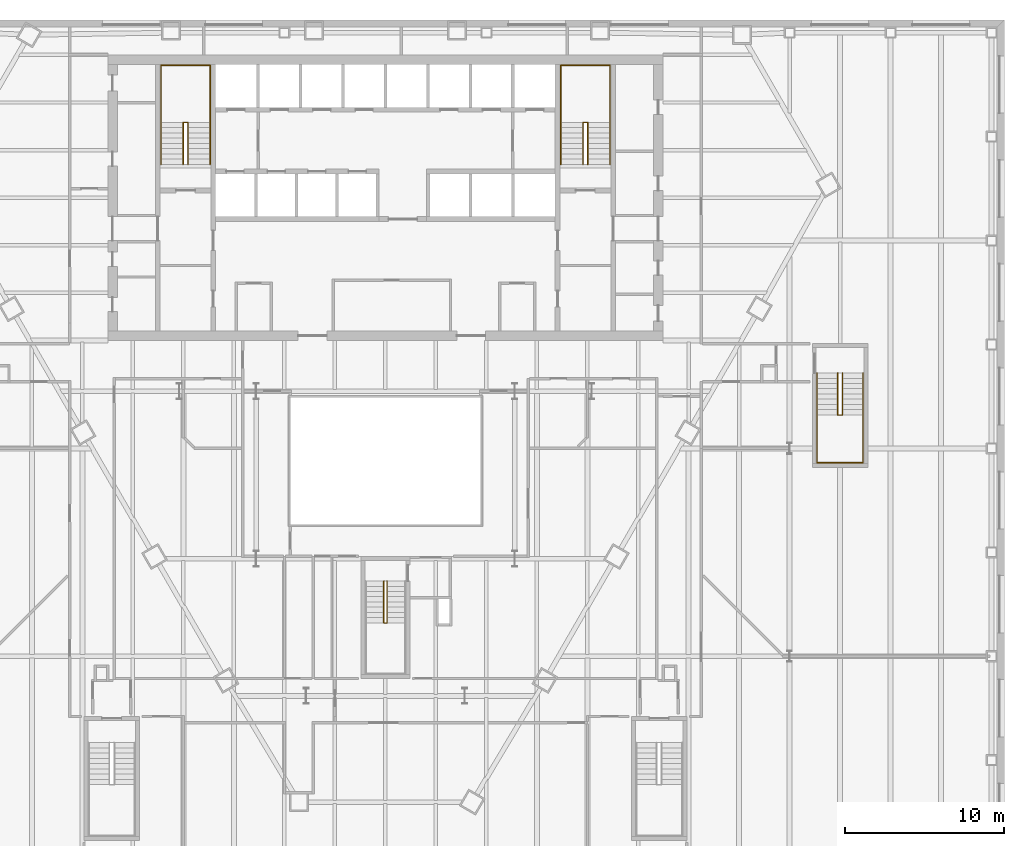
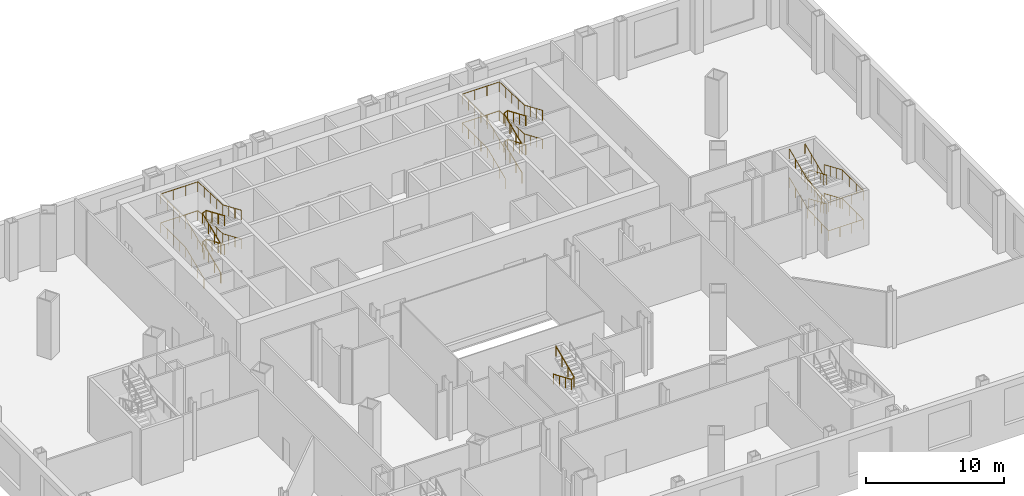
# One storey, part 21 of 21: 13 railings.
"""IFC4 building model written with IfcOpenShell, lengths in metres."""

from ifc_helpers import new_model, si_unit, direction, frame, origin, origin_2d, place, context, subcontext, project, spatial, circle, extrude, material, type_object, element, save


model = new_model("IFC4")

# Units and contexts
model_context = context("Model", 3, precision=1e-05, world=origin(), true_north=direction((0.0, 1.0)))
body_context = subcontext(model_context, "Body", "Model", "MODEL_VIEW")
ifc_project = project(units=[si_unit("LENGTHUNIT", "METRE"), si_unit("AREAUNIT", "SQUARE_METRE"), si_unit("VOLUMEUNIT", "CUBIC_METRE"), si_unit("PLANEANGLEUNIT", "RADIAN"), si_unit("MASSUNIT", "GRAM", prefix="KILO")], contexts=[model_context])

# Site, building, storey
site_placement = place(None, origin())
site = spatial("IfcSite", under=ifc_project, at=site_placement, CompositionType="ELEMENT")
building_placement = place(site_placement, origin())
building = spatial("IfcBuilding", under=site, at=building_placement, Name="Njiva Tower", CompositionType="ELEMENT")
storey_placement = place(building_placement, frame((0.0, 0.0, 8.4)))
storey = spatial("IfcBuildingStorey", under=building, at=storey_placement, Name="L01", CompositionType="ELEMENT", Elevation=8.4)

# Railings
ifc_material = material(Name="Stainless steel", Category="steel")
railing_type = type_object("IfcRailingType", Name="RL1 Stair handrail 900", PredefinedType="HANDRAIL", material=ifc_material)
railing_1_placement = place(storey_placement, frame((-14.15, 11.1, 0.1417)))
element("IfcRailing", 1, at=railing_1_placement, inside=storey, type_object=railing_type, Name="Stair A handrail", PredefinedType="HANDRAIL", context=body_context, shape_type="SweptSolid", body=[
    extrude(circle(Radius=0.024, at=origin_2d()), frame((0.0, 0.0, 0.876), z_axis=(0.0, 0.918909016762, 0.394469541173), x_axis=(-1.0, 0.0, 0.0)), (0.0, 0.0, 1.0), 2.873),
    extrude(circle(Radius=0.024, at=origin_2d()), frame((0.0, 2.64, 2.0093), z_axis=(0.0, 1.0, 0.0), x_axis=(-1.0, 0.0, 0.0)), (0.0, 0.0, 1.0), 3.61),
    extrude(circle(Radius=0.024, at=origin_2d()), frame((0.0, 6.25, 2.0093), z_axis=(1.0, 0.0, 0.0), x_axis=(0.0, 1.0, 0.0)), (0.0, 0.0, 1.0), 3.1),
    extrude(circle(Radius=0.024, at=origin_2d()), frame((3.1, 6.25, 2.0093), z_axis=(0.0, -0.99923052625, 0.039221874119), x_axis=(1.0, 0.0, 0.0)), (0.0, 0.0, 1.0), 3.6128),
    extrude(circle(Radius=0.024, at=origin_2d()), frame((3.1, 2.64, 2.151), z_axis=(0.0, -0.918909016762, 0.394469541173), x_axis=(1.0, 0.0, 0.0)), (0.0, 0.0, 1.0), 2.873),
    extrude(circle(Radius=0.021, at=origin_2d()), origin(), (0.0, 0.0, 1.0), 0.852),
    extrude(circle(Radius=0.021, at=origin_2d()), frame((0.0, 0.88, 0.3778)), (0.0, 0.0, 1.0), 0.852),
    extrude(circle(Radius=0.021, at=origin_2d()), frame((0.0, 1.76, 0.7555)), (0.0, 0.0, 1.0), 0.852),
    extrude(circle(Radius=0.021, at=origin_2d()), frame((0.0, 2.64, 1.1333)), (0.0, 0.0, 1.0), 0.852),
    extrude(circle(Radius=0.021, at=origin_2d()), frame((0.0, 3.5425, 1.1333)), (0.0, 0.0, 1.0), 0.852),
    extrude(circle(Radius=0.021, at=origin_2d()), frame((0.0, 4.445, 1.1333)), (0.0, 0.0, 1.0), 0.852),
    extrude(circle(Radius=0.021, at=origin_2d()), frame((0.0, 5.3475, 1.1333)), (0.0, 0.0, 1.0), 0.852),
    extrude(circle(Radius=0.021, at=origin_2d()), frame((0.0, 6.25, 1.1333)), (0.0, 0.0, 1.0), 0.852),
    extrude(circle(Radius=0.021, at=origin_2d()), frame((1.0333, 6.25, 1.1333)), (0.0, 0.0, 1.0), 0.852),
    extrude(circle(Radius=0.021, at=origin_2d()), frame((2.0667, 6.25, 1.1333)), (0.0, 0.0, 1.0), 0.852),
    extrude(circle(Radius=0.021, at=origin_2d()), frame((3.1, 6.25, 1.1333)), (0.0, 0.0, 1.0), 0.852),
    extrude(circle(Radius=0.021, at=origin_2d()), frame((3.1, 5.3475, 1.1687)), (0.0, 0.0, 1.0), 0.852),
    extrude(circle(Radius=0.021, at=origin_2d()), frame((3.1, 4.445, 1.2042)), (0.0, 0.0, 1.0), 0.852),
    extrude(circle(Radius=0.021, at=origin_2d()), frame((3.1, 3.5425, 1.2396)), (0.0, 0.0, 1.0), 0.852),
    extrude(circle(Radius=0.021, at=origin_2d()), frame((3.1, 2.64, 1.275)), (0.0, 0.0, 1.0), 0.852),
    extrude(circle(Radius=0.021, at=origin_2d()), frame((3.1, 1.76, 1.6528)), (0.0, 0.0, 1.0), 0.852),
    extrude(circle(Radius=0.021, at=origin_2d()), frame((3.1, 0.88, 2.0305)), (0.0, 0.0, 1.0), 0.852),
    extrude(circle(Radius=0.021, at=origin_2d()), frame((3.1, 0.0, 2.4083)), (0.0, 0.0, 1.0), 0.852),
])
railing_2_placement = place(storey_placement, frame((-12.75, 11.1, 0.1417)))
element("IfcRailing", 2, at=railing_2_placement, inside=storey, type_object=railing_type, Name="Stair A handrail", PredefinedType="HANDRAIL", context=body_context, shape_type="SweptSolid", body=[
    extrude(circle(Radius=0.024, at=origin_2d()), frame((0.0, 0.0, 0.876), z_axis=(0.0, 0.918909016762, 0.394469541173), x_axis=(-1.0, 0.0, 0.0)), (0.0, 0.0, 1.0), 2.873),
    extrude(circle(Radius=0.024, at=origin_2d()), frame((0.0, 2.64, 2.0093), z_axis=(0.904209850415, 0.0, 0.427088452679), x_axis=(0.0, 1.0, 0.0)), (0.0, 0.0, 1.0), 0.3318),
    extrude(circle(Radius=0.024, at=origin_2d()), frame((0.3, 2.64, 2.151), z_axis=(0.0, -0.918909016762, 0.394469541173), x_axis=(1.0, 0.0, 0.0)), (0.0, 0.0, 1.0), 2.873),
    extrude(circle(Radius=0.021, at=origin_2d()), origin(), (0.0, 0.0, 1.0), 0.852),
    extrude(circle(Radius=0.021, at=origin_2d()), frame((0.0, 0.88, 0.3778)), (0.0, 0.0, 1.0), 0.852),
    extrude(circle(Radius=0.021, at=origin_2d()), frame((0.0, 1.76, 0.7555)), (0.0, 0.0, 1.0), 0.852),
    extrude(circle(Radius=0.021, at=origin_2d()), frame((0.0, 2.64, 1.1333)), (0.0, 0.0, 1.0), 0.852),
    extrude(circle(Radius=0.021, at=origin_2d()), frame((0.3, 2.64, 1.275)), (0.0, 0.0, 1.0), 0.852),
    extrude(circle(Radius=0.021, at=origin_2d()), frame((0.3, 1.76, 1.6528)), (0.0, 0.0, 1.0), 0.852),
    extrude(circle(Radius=0.021, at=origin_2d()), frame((0.3, 0.88, 2.0305)), (0.0, 0.0, 1.0), 0.852),
    extrude(circle(Radius=0.021, at=origin_2d()), frame((0.3, 0.0, 2.4083)), (0.0, 0.0, 1.0), 0.852),
])
railing_3_placement = place(storey_placement, frame((-14.15, 11.1, 2.6917)))
element("IfcRailing", 3, at=railing_3_placement, inside=storey, type_object=railing_type, Name="Stair A handrail", PredefinedType="HANDRAIL", context=body_context, shape_type="SweptSolid", body=[
    extrude(circle(Radius=0.024, at=origin_2d()), frame((0.0, 0.0, 0.876), z_axis=(0.0, 0.918909016762, 0.394469541173), x_axis=(-1.0, 0.0, 0.0)), (0.0, 0.0, 1.0), 2.873),
    extrude(circle(Radius=0.024, at=origin_2d()), frame((0.0, 2.64, 2.0093), z_axis=(0.0, 1.0, 0.0), x_axis=(-1.0, 0.0, 0.0)), (0.0, 0.0, 1.0), 3.61),
    extrude(circle(Radius=0.024, at=origin_2d()), frame((0.0, 6.25, 2.0093), z_axis=(1.0, 0.0, 0.0), x_axis=(0.0, 1.0, 0.0)), (0.0, 0.0, 1.0), 3.1),
    extrude(circle(Radius=0.024, at=origin_2d()), frame((3.1, 6.25, 2.0093), z_axis=(0.0, -0.99923052625, 0.039221874119), x_axis=(1.0, 0.0, 0.0)), (0.0, 0.0, 1.0), 3.6128),
    extrude(circle(Radius=0.024, at=origin_2d()), frame((3.1, 2.64, 2.151), z_axis=(0.0, -0.918909016762, 0.394469541173), x_axis=(1.0, 0.0, 0.0)), (0.0, 0.0, 1.0), 2.873),
    extrude(circle(Radius=0.021, at=origin_2d()), origin(), (0.0, 0.0, 1.0), 0.852),
    extrude(circle(Radius=0.021, at=origin_2d()), frame((0.0, 0.88, 0.3778)), (0.0, 0.0, 1.0), 0.852),
    extrude(circle(Radius=0.021, at=origin_2d()), frame((0.0, 1.76, 0.7555)), (0.0, 0.0, 1.0), 0.852),
    extrude(circle(Radius=0.021, at=origin_2d()), frame((0.0, 2.64, 1.1333)), (0.0, 0.0, 1.0), 0.852),
    extrude(circle(Radius=0.021, at=origin_2d()), frame((0.0, 3.5425, 1.1333)), (0.0, 0.0, 1.0), 0.852),
    extrude(circle(Radius=0.021, at=origin_2d()), frame((0.0, 4.445, 1.1333)), (0.0, 0.0, 1.0), 0.852),
    extrude(circle(Radius=0.021, at=origin_2d()), frame((0.0, 5.3475, 1.1333)), (0.0, 0.0, 1.0), 0.852),
    extrude(circle(Radius=0.021, at=origin_2d()), frame((0.0, 6.25, 1.1333)), (0.0, 0.0, 1.0), 0.852),
    extrude(circle(Radius=0.021, at=origin_2d()), frame((1.0333, 6.25, 1.1333)), (0.0, 0.0, 1.0), 0.852),
    extrude(circle(Radius=0.021, at=origin_2d()), frame((2.0667, 6.25, 1.1333)), (0.0, 0.0, 1.0), 0.852),
    extrude(circle(Radius=0.021, at=origin_2d()), frame((3.1, 6.25, 1.1333)), (0.0, 0.0, 1.0), 0.852),
    extrude(circle(Radius=0.021, at=origin_2d()), frame((3.1, 5.3475, 1.1687)), (0.0, 0.0, 1.0), 0.852),
    extrude(circle(Radius=0.021, at=origin_2d()), frame((3.1, 4.445, 1.2042)), (0.0, 0.0, 1.0), 0.852),
    extrude(circle(Radius=0.021, at=origin_2d()), frame((3.1, 3.5425, 1.2396)), (0.0, 0.0, 1.0), 0.852),
    extrude(circle(Radius=0.021, at=origin_2d()), frame((3.1, 2.64, 1.275)), (0.0, 0.0, 1.0), 0.852),
    extrude(circle(Radius=0.021, at=origin_2d()), frame((3.1, 1.76, 1.6528)), (0.0, 0.0, 1.0), 0.852),
    extrude(circle(Radius=0.021, at=origin_2d()), frame((3.1, 0.88, 2.0305)), (0.0, 0.0, 1.0), 0.852),
    extrude(circle(Radius=0.021, at=origin_2d()), frame((3.1, 0.0, 2.4083)), (0.0, 0.0, 1.0), 0.852),
])
railing_4_placement = place(storey_placement, frame((-12.75, 11.1, 2.6917)))
element("IfcRailing", 4, at=railing_4_placement, inside=storey, type_object=railing_type, Name="Stair A handrail", PredefinedType="HANDRAIL", context=body_context, shape_type="SweptSolid", body=[
    extrude(circle(Radius=0.024, at=origin_2d()), frame((0.0, 0.0, 0.876), z_axis=(0.0, 0.918909016762, 0.394469541173), x_axis=(-1.0, 0.0, 0.0)), (0.0, 0.0, 1.0), 2.873),
    extrude(circle(Radius=0.024, at=origin_2d()), frame((0.0, 2.64, 2.0093), z_axis=(0.904209850415, 0.0, 0.427088452679), x_axis=(0.0, 1.0, 0.0)), (0.0, 0.0, 1.0), 0.3318),
    extrude(circle(Radius=0.024, at=origin_2d()), frame((0.3, 2.64, 2.151), z_axis=(0.0, -0.918909016762, 0.394469541173), x_axis=(1.0, 0.0, 0.0)), (0.0, 0.0, 1.0), 2.873),
    extrude(circle(Radius=0.021, at=origin_2d()), origin(), (0.0, 0.0, 1.0), 0.852),
    extrude(circle(Radius=0.021, at=origin_2d()), frame((0.0, 0.88, 0.3778)), (0.0, 0.0, 1.0), 0.852),
    extrude(circle(Radius=0.021, at=origin_2d()), frame((0.0, 1.76, 0.7555)), (0.0, 0.0, 1.0), 0.852),
    extrude(circle(Radius=0.021, at=origin_2d()), frame((0.0, 2.64, 1.1333)), (0.0, 0.0, 1.0), 0.852),
    extrude(circle(Radius=0.021, at=origin_2d()), frame((0.3, 2.64, 1.275)), (0.0, 0.0, 1.0), 0.852),
    extrude(circle(Radius=0.021, at=origin_2d()), frame((0.3, 1.76, 1.6528)), (0.0, 0.0, 1.0), 0.852),
    extrude(circle(Radius=0.021, at=origin_2d()), frame((0.3, 0.88, 2.0305)), (0.0, 0.0, 1.0), 0.852),
    extrude(circle(Radius=0.021, at=origin_2d()), frame((0.3, 0.0, 2.4083)), (0.0, 0.0, 1.0), 0.852),
])
railing_5_placement = place(storey_placement, frame((11.05, 11.1, 0.1417)))
element("IfcRailing", 5, at=railing_5_placement, inside=storey, type_object=railing_type, Name="Stair B handrail", PredefinedType="HANDRAIL", context=body_context, shape_type="SweptSolid", body=[
    extrude(circle(Radius=0.024, at=origin_2d()), frame((0.0, 0.0, 0.876), z_axis=(0.0, 0.918909016762, 0.394469541173), x_axis=(-1.0, 0.0, 0.0)), (0.0, 0.0, 1.0), 2.873),
    extrude(circle(Radius=0.024, at=origin_2d()), frame((0.0, 2.64, 2.0093), z_axis=(0.0, 1.0, 0.0), x_axis=(-1.0, 0.0, 0.0)), (0.0, 0.0, 1.0), 3.61),
    extrude(circle(Radius=0.024, at=origin_2d()), frame((0.0, 6.25, 2.0093), z_axis=(1.0, 0.0, 0.0), x_axis=(0.0, 1.0, 0.0)), (0.0, 0.0, 1.0), 3.1),
    extrude(circle(Radius=0.024, at=origin_2d()), frame((3.1, 6.25, 2.0093), z_axis=(0.0, -0.99923052625, 0.039221874119), x_axis=(1.0, 0.0, 0.0)), (0.0, 0.0, 1.0), 3.6128),
    extrude(circle(Radius=0.024, at=origin_2d()), frame((3.1, 2.64, 2.151), z_axis=(0.0, -0.918909016762, 0.394469541173), x_axis=(1.0, 0.0, 0.0)), (0.0, 0.0, 1.0), 2.873),
    extrude(circle(Radius=0.021, at=origin_2d()), origin(), (0.0, 0.0, 1.0), 0.852),
    extrude(circle(Radius=0.021, at=origin_2d()), frame((0.0, 0.88, 0.3778)), (0.0, 0.0, 1.0), 0.852),
    extrude(circle(Radius=0.021, at=origin_2d()), frame((0.0, 1.76, 0.7555)), (0.0, 0.0, 1.0), 0.852),
    extrude(circle(Radius=0.021, at=origin_2d()), frame((0.0, 2.64, 1.1333)), (0.0, 0.0, 1.0), 0.852),
    extrude(circle(Radius=0.021, at=origin_2d()), frame((0.0, 3.5425, 1.1333)), (0.0, 0.0, 1.0), 0.852),
    extrude(circle(Radius=0.021, at=origin_2d()), frame((0.0, 4.445, 1.1333)), (0.0, 0.0, 1.0), 0.852),
    extrude(circle(Radius=0.021, at=origin_2d()), frame((0.0, 5.3475, 1.1333)), (0.0, 0.0, 1.0), 0.852),
    extrude(circle(Radius=0.021, at=origin_2d()), frame((0.0, 6.25, 1.1333)), (0.0, 0.0, 1.0), 0.852),
    extrude(circle(Radius=0.021, at=origin_2d()), frame((1.0333, 6.25, 1.1333)), (0.0, 0.0, 1.0), 0.852),
    extrude(circle(Radius=0.021, at=origin_2d()), frame((2.0667, 6.25, 1.1333)), (0.0, 0.0, 1.0), 0.852),
    extrude(circle(Radius=0.021, at=origin_2d()), frame((3.1, 6.25, 1.1333)), (0.0, 0.0, 1.0), 0.852),
    extrude(circle(Radius=0.021, at=origin_2d()), frame((3.1, 5.3475, 1.1687)), (0.0, 0.0, 1.0), 0.852),
    extrude(circle(Radius=0.021, at=origin_2d()), frame((3.1, 4.445, 1.2042)), (0.0, 0.0, 1.0), 0.852),
    extrude(circle(Radius=0.021, at=origin_2d()), frame((3.1, 3.5425, 1.2396)), (0.0, 0.0, 1.0), 0.852),
    extrude(circle(Radius=0.021, at=origin_2d()), frame((3.1, 2.64, 1.275)), (0.0, 0.0, 1.0), 0.852),
    extrude(circle(Radius=0.021, at=origin_2d()), frame((3.1, 1.76, 1.6528)), (0.0, 0.0, 1.0), 0.852),
    extrude(circle(Radius=0.021, at=origin_2d()), frame((3.1, 0.88, 2.0305)), (0.0, 0.0, 1.0), 0.852),
    extrude(circle(Radius=0.021, at=origin_2d()), frame((3.1, 0.0, 2.4083)), (0.0, 0.0, 1.0), 0.852),
])
railing_6_placement = place(storey_placement, frame((12.45, 11.1, 0.1417)))
element("IfcRailing", 6, at=railing_6_placement, inside=storey, type_object=railing_type, Name="Stair B handrail", PredefinedType="HANDRAIL", context=body_context, shape_type="SweptSolid", body=[
    extrude(circle(Radius=0.024, at=origin_2d()), frame((0.0, 0.0, 0.876), z_axis=(0.0, 0.918909016762, 0.394469541173), x_axis=(-1.0, 0.0, 0.0)), (0.0, 0.0, 1.0), 2.873),
    extrude(circle(Radius=0.024, at=origin_2d()), frame((0.0, 2.64, 2.0093), z_axis=(0.904209850415, 0.0, 0.427088452679), x_axis=(0.0, 1.0, 0.0)), (0.0, 0.0, 1.0), 0.3318),
    extrude(circle(Radius=0.024, at=origin_2d()), frame((0.3, 2.64, 2.151), z_axis=(0.0, -0.918909016762, 0.394469541173), x_axis=(1.0, 0.0, 0.0)), (0.0, 0.0, 1.0), 2.873),
    extrude(circle(Radius=0.021, at=origin_2d()), origin(), (0.0, 0.0, 1.0), 0.852),
    extrude(circle(Radius=0.021, at=origin_2d()), frame((0.0, 0.88, 0.3778)), (0.0, 0.0, 1.0), 0.852),
    extrude(circle(Radius=0.021, at=origin_2d()), frame((0.0, 1.76, 0.7555)), (0.0, 0.0, 1.0), 0.852),
    extrude(circle(Radius=0.021, at=origin_2d()), frame((0.0, 2.64, 1.1333)), (0.0, 0.0, 1.0), 0.852),
    extrude(circle(Radius=0.021, at=origin_2d()), frame((0.3, 2.64, 1.275)), (0.0, 0.0, 1.0), 0.852),
    extrude(circle(Radius=0.021, at=origin_2d()), frame((0.3, 1.76, 1.6528)), (0.0, 0.0, 1.0), 0.852),
    extrude(circle(Radius=0.021, at=origin_2d()), frame((0.3, 0.88, 2.0305)), (0.0, 0.0, 1.0), 0.852),
    extrude(circle(Radius=0.021, at=origin_2d()), frame((0.3, 0.0, 2.4083)), (0.0, 0.0, 1.0), 0.852),
])
railing_7_placement = place(storey_placement, frame((11.05, 11.1, 2.6917)))
element("IfcRailing", 7, at=railing_7_placement, inside=storey, type_object=railing_type, Name="Stair B handrail", PredefinedType="HANDRAIL", context=body_context, shape_type="SweptSolid", body=[
    extrude(circle(Radius=0.024, at=origin_2d()), frame((0.0, 0.0, 0.876), z_axis=(0.0, 0.918909016762, 0.394469541173), x_axis=(-1.0, 0.0, 0.0)), (0.0, 0.0, 1.0), 2.873),
    extrude(circle(Radius=0.024, at=origin_2d()), frame((0.0, 2.64, 2.0093), z_axis=(0.0, 1.0, 0.0), x_axis=(-1.0, 0.0, 0.0)), (0.0, 0.0, 1.0), 3.61),
    extrude(circle(Radius=0.024, at=origin_2d()), frame((0.0, 6.25, 2.0093), z_axis=(1.0, 0.0, 0.0), x_axis=(0.0, 1.0, 0.0)), (0.0, 0.0, 1.0), 3.1),
    extrude(circle(Radius=0.024, at=origin_2d()), frame((3.1, 6.25, 2.0093), z_axis=(0.0, -0.99923052625, 0.039221874119), x_axis=(1.0, 0.0, 0.0)), (0.0, 0.0, 1.0), 3.6128),
    extrude(circle(Radius=0.024, at=origin_2d()), frame((3.1, 2.64, 2.151), z_axis=(0.0, -0.918909016762, 0.394469541173), x_axis=(1.0, 0.0, 0.0)), (0.0, 0.0, 1.0), 2.873),
    extrude(circle(Radius=0.021, at=origin_2d()), origin(), (0.0, 0.0, 1.0), 0.852),
    extrude(circle(Radius=0.021, at=origin_2d()), frame((0.0, 0.88, 0.3778)), (0.0, 0.0, 1.0), 0.852),
    extrude(circle(Radius=0.021, at=origin_2d()), frame((0.0, 1.76, 0.7555)), (0.0, 0.0, 1.0), 0.852),
    extrude(circle(Radius=0.021, at=origin_2d()), frame((0.0, 2.64, 1.1333)), (0.0, 0.0, 1.0), 0.852),
    extrude(circle(Radius=0.021, at=origin_2d()), frame((0.0, 3.5425, 1.1333)), (0.0, 0.0, 1.0), 0.852),
    extrude(circle(Radius=0.021, at=origin_2d()), frame((0.0, 4.445, 1.1333)), (0.0, 0.0, 1.0), 0.852),
    extrude(circle(Radius=0.021, at=origin_2d()), frame((0.0, 5.3475, 1.1333)), (0.0, 0.0, 1.0), 0.852),
    extrude(circle(Radius=0.021, at=origin_2d()), frame((0.0, 6.25, 1.1333)), (0.0, 0.0, 1.0), 0.852),
    extrude(circle(Radius=0.021, at=origin_2d()), frame((1.0333, 6.25, 1.1333)), (0.0, 0.0, 1.0), 0.852),
    extrude(circle(Radius=0.021, at=origin_2d()), frame((2.0667, 6.25, 1.1333)), (0.0, 0.0, 1.0), 0.852),
    extrude(circle(Radius=0.021, at=origin_2d()), frame((3.1, 6.25, 1.1333)), (0.0, 0.0, 1.0), 0.852),
    extrude(circle(Radius=0.021, at=origin_2d()), frame((3.1, 5.3475, 1.1687)), (0.0, 0.0, 1.0), 0.852),
    extrude(circle(Radius=0.021, at=origin_2d()), frame((3.1, 4.445, 1.2042)), (0.0, 0.0, 1.0), 0.852),
    extrude(circle(Radius=0.021, at=origin_2d()), frame((3.1, 3.5425, 1.2396)), (0.0, 0.0, 1.0), 0.852),
    extrude(circle(Radius=0.021, at=origin_2d()), frame((3.1, 2.64, 1.275)), (0.0, 0.0, 1.0), 0.852),
    extrude(circle(Radius=0.021, at=origin_2d()), frame((3.1, 1.76, 1.6528)), (0.0, 0.0, 1.0), 0.852),
    extrude(circle(Radius=0.021, at=origin_2d()), frame((3.1, 0.88, 2.0305)), (0.0, 0.0, 1.0), 0.852),
    extrude(circle(Radius=0.021, at=origin_2d()), frame((3.1, 0.0, 2.4083)), (0.0, 0.0, 1.0), 0.852),
])
railing_8_placement = place(storey_placement, frame((12.45, 11.1, 2.6917)))
element("IfcRailing", 8, at=railing_8_placement, inside=storey, type_object=railing_type, Name="Stair B handrail", PredefinedType="HANDRAIL", context=body_context, shape_type="SweptSolid", body=[
    extrude(circle(Radius=0.024, at=origin_2d()), frame((0.0, 0.0, 0.876), z_axis=(0.0, 0.918909016762, 0.394469541173), x_axis=(-1.0, 0.0, 0.0)), (0.0, 0.0, 1.0), 2.873),
    extrude(circle(Radius=0.024, at=origin_2d()), frame((0.0, 2.64, 2.0093), z_axis=(0.904209850415, 0.0, 0.427088452679), x_axis=(0.0, 1.0, 0.0)), (0.0, 0.0, 1.0), 0.3318),
    extrude(circle(Radius=0.024, at=origin_2d()), frame((0.3, 2.64, 2.151), z_axis=(0.0, -0.918909016762, 0.394469541173), x_axis=(1.0, 0.0, 0.0)), (0.0, 0.0, 1.0), 2.873),
    extrude(circle(Radius=0.021, at=origin_2d()), origin(), (0.0, 0.0, 1.0), 0.852),
    extrude(circle(Radius=0.021, at=origin_2d()), frame((0.0, 0.88, 0.3778)), (0.0, 0.0, 1.0), 0.852),
    extrude(circle(Radius=0.021, at=origin_2d()), frame((0.0, 1.76, 0.7555)), (0.0, 0.0, 1.0), 0.852),
    extrude(circle(Radius=0.021, at=origin_2d()), frame((0.0, 2.64, 1.1333)), (0.0, 0.0, 1.0), 0.852),
    extrude(circle(Radius=0.021, at=origin_2d()), frame((0.3, 2.64, 1.275)), (0.0, 0.0, 1.0), 0.852),
    extrude(circle(Radius=0.021, at=origin_2d()), frame((0.3, 1.76, 1.6528)), (0.0, 0.0, 1.0), 0.852),
    extrude(circle(Radius=0.021, at=origin_2d()), frame((0.3, 0.88, 2.0305)), (0.0, 0.0, 1.0), 0.852),
    extrude(circle(Radius=0.021, at=origin_2d()), frame((0.3, 0.0, 2.4083)), (0.0, 0.0, 1.0), 0.852),
])
railing_9_placement = place(storey_placement, frame((-0.1, -15.16, 2.6917)))
element("IfcRailing", 9, at=railing_9_placement, inside=storey, type_object=railing_type, Name="Stair C handrail", PredefinedType="HANDRAIL", context=body_context, shape_type="SweptSolid", body=[
    extrude(circle(Radius=0.024, at=origin_2d()), frame((0.0, 0.0, 0.876), z_axis=(0.0, -0.918909016762, 0.394469541173), x_axis=(1.0, 0.0, 0.0)), (0.0, 0.0, 1.0), 2.873),
    extrude(circle(Radius=0.024, at=origin_2d()), frame((0.0, -2.64, 2.0093), z_axis=(0.815960331218, 0.0, 0.578107894668), x_axis=(0.0, 1.0, 0.0)), (0.0, 0.0, 1.0), 0.2451),
    extrude(circle(Radius=0.024, at=origin_2d()), frame((0.2, -2.64, 2.151), z_axis=(0.0, 0.918909016762, 0.394469541173), x_axis=(-1.0, 0.0, 0.0)), (0.0, 0.0, 1.0), 2.873),
    extrude(circle(Radius=0.021, at=origin_2d()), origin(), (0.0, 0.0, 1.0), 0.852),
    extrude(circle(Radius=0.021, at=origin_2d()), frame((0.0, -0.88, 0.3778)), (0.0, 0.0, 1.0), 0.852),
    extrude(circle(Radius=0.021, at=origin_2d()), frame((0.0, -1.76, 0.7555)), (0.0, 0.0, 1.0), 0.852),
    extrude(circle(Radius=0.021, at=origin_2d()), frame((0.0, -2.64, 1.1333)), (0.0, 0.0, 1.0), 0.852),
    extrude(circle(Radius=0.021, at=origin_2d()), frame((0.2, -2.64, 1.275)), (0.0, 0.0, 1.0), 0.852),
    extrude(circle(Radius=0.021, at=origin_2d()), frame((0.2, -1.76, 1.6528)), (0.0, 0.0, 1.0), 0.852),
    extrude(circle(Radius=0.021, at=origin_2d()), frame((0.2, -0.88, 2.0305)), (0.0, 0.0, 1.0), 0.852),
    extrude(circle(Radius=0.021, at=origin_2d()), frame((0.2, 0.0, 2.4083)), (0.0, 0.0, 1.0), 0.852),
])
railing_10_placement = place(storey_placement, frame((30.1, -2.05, 0.1417)))
element("IfcRailing", 10, at=railing_10_placement, inside=storey, type_object=railing_type, Name="Stair G handrail", PredefinedType="HANDRAIL", context=body_context, shape_type="SweptSolid", body=[
    extrude(circle(Radius=0.024, at=origin_2d()), frame((0.0, 0.0, 0.876), z_axis=(0.0, -0.918909016762, 0.394469541173), x_axis=(1.0, 0.0, 0.0)), (0.0, 0.0, 1.0), 2.873),
    extrude(circle(Radius=0.024, at=origin_2d()), frame((0.0, -2.64, 2.0093), z_axis=(0.0, -1.0, 0.0), x_axis=(1.0, 0.0, 0.0)), (0.0, 0.0, 1.0), 3.01),
    extrude(circle(Radius=0.024, at=origin_2d()), frame((0.0, -5.65, 2.0093), z_axis=(-1.0, 0.0, 0.0), x_axis=(0.0, -1.0, 0.0)), (0.0, 0.0, 1.0), 2.9),
    extrude(circle(Radius=0.024, at=origin_2d()), frame((-2.9, -5.65, 2.0093), z_axis=(0.0, 0.998893744133, 0.047024333403), x_axis=(-1.0, 0.0, 0.0)), (0.0, 0.0, 1.0), 3.0133),
    extrude(circle(Radius=0.024, at=origin_2d()), frame((-2.9, -2.64, 2.151), z_axis=(0.0, 0.918909016762, 0.394469541173), x_axis=(-1.0, 0.0, 0.0)), (0.0, 0.0, 1.0), 2.873),
    extrude(circle(Radius=0.021, at=origin_2d()), origin(), (0.0, 0.0, 1.0), 0.852),
    extrude(circle(Radius=0.021, at=origin_2d()), frame((0.0, -0.88, 0.3778)), (0.0, 0.0, 1.0), 0.852),
    extrude(circle(Radius=0.021, at=origin_2d()), frame((0.0, -1.76, 0.7555)), (0.0, 0.0, 1.0), 0.852),
    extrude(circle(Radius=0.021, at=origin_2d()), frame((0.0, -2.64, 1.1333)), (0.0, 0.0, 1.0), 0.852),
    extrude(circle(Radius=0.021, at=origin_2d()), frame((0.0, -3.6433, 1.1333)), (0.0, 0.0, 1.0), 0.852),
    extrude(circle(Radius=0.021, at=origin_2d()), frame((0.0, -4.6467, 1.1333)), (0.0, 0.0, 1.0), 0.852),
    extrude(circle(Radius=0.021, at=origin_2d()), frame((0.0, -5.65, 1.1333)), (0.0, 0.0, 1.0), 0.852),
    extrude(circle(Radius=0.021, at=origin_2d()), frame((-0.9667, -5.65, 1.1333)), (0.0, 0.0, 1.0), 0.852),
    extrude(circle(Radius=0.021, at=origin_2d()), frame((-1.9333, -5.65, 1.1333)), (0.0, 0.0, 1.0), 0.852),
    extrude(circle(Radius=0.021, at=origin_2d()), frame((-2.9, -5.65, 1.1333)), (0.0, 0.0, 1.0), 0.852),
    extrude(circle(Radius=0.021, at=origin_2d()), frame((-2.9, -4.6467, 1.1805)), (0.0, 0.0, 1.0), 0.852),
    extrude(circle(Radius=0.021, at=origin_2d()), frame((-2.9, -3.6433, 1.2278)), (0.0, 0.0, 1.0), 0.852),
    extrude(circle(Radius=0.021, at=origin_2d()), frame((-2.9, -2.64, 1.275)), (0.0, 0.0, 1.0), 0.852),
    extrude(circle(Radius=0.021, at=origin_2d()), frame((-2.9, -1.76, 1.6528)), (0.0, 0.0, 1.0), 0.852),
    extrude(circle(Radius=0.021, at=origin_2d()), frame((-2.9, -0.88, 2.0305)), (0.0, 0.0, 1.0), 0.852),
    extrude(circle(Radius=0.021, at=origin_2d()), frame((-2.9, 0.0, 2.4083)), (0.0, 0.0, 1.0), 0.852),
])
railing_11_placement = place(storey_placement, frame((28.8, -2.05, 0.1417)))
element("IfcRailing", 11, at=railing_11_placement, inside=storey, type_object=railing_type, Name="Stair G handrail", PredefinedType="HANDRAIL", context=body_context, shape_type="SweptSolid", body=[
    extrude(circle(Radius=0.024, at=origin_2d()), frame((0.0, 0.0, 0.876), z_axis=(0.0, -0.918909016762, 0.394469541173), x_axis=(1.0, 0.0, 0.0)), (0.0, 0.0, 1.0), 2.873),
    extrude(circle(Radius=0.024, at=origin_2d()), frame((0.0, -2.64, 2.0093), z_axis=(-0.904209850415, 0.0, 0.427088452679), x_axis=(0.0, -1.0, 0.0)), (0.0, 0.0, 1.0), 0.3318),
    extrude(circle(Radius=0.024, at=origin_2d()), frame((-0.3, -2.64, 2.151), z_axis=(0.0, 0.918909016762, 0.394469541173), x_axis=(-1.0, 0.0, 0.0)), (0.0, 0.0, 1.0), 2.873),
    extrude(circle(Radius=0.021, at=origin_2d()), origin(), (0.0, 0.0, 1.0), 0.852),
    extrude(circle(Radius=0.021, at=origin_2d()), frame((0.0, -0.88, 0.3778)), (0.0, 0.0, 1.0), 0.852),
    extrude(circle(Radius=0.021, at=origin_2d()), frame((0.0, -1.76, 0.7555)), (0.0, 0.0, 1.0), 0.852),
    extrude(circle(Radius=0.021, at=origin_2d()), frame((0.0, -2.64, 1.1333)), (0.0, 0.0, 1.0), 0.852),
    extrude(circle(Radius=0.021, at=origin_2d()), frame((-0.3, -2.64, 1.275)), (0.0, 0.0, 1.0), 0.852),
    extrude(circle(Radius=0.021, at=origin_2d()), frame((-0.3, -1.76, 1.6528)), (0.0, 0.0, 1.0), 0.852),
    extrude(circle(Radius=0.021, at=origin_2d()), frame((-0.3, -0.88, 2.0305)), (0.0, 0.0, 1.0), 0.852),
    extrude(circle(Radius=0.021, at=origin_2d()), frame((-0.3, 0.0, 2.4083)), (0.0, 0.0, 1.0), 0.852),
])
railing_12_placement = place(storey_placement, frame((30.1, -2.05, 2.6917)))
element("IfcRailing", 12, at=railing_12_placement, inside=storey, type_object=railing_type, Name="Stair G handrail", PredefinedType="HANDRAIL", context=body_context, shape_type="SweptSolid", body=[
    extrude(circle(Radius=0.024, at=origin_2d()), frame((0.0, 0.0, 0.876), z_axis=(0.0, -0.918909016762, 0.394469541173), x_axis=(1.0, 0.0, 0.0)), (0.0, 0.0, 1.0), 2.873),
    extrude(circle(Radius=0.024, at=origin_2d()), frame((0.0, -2.64, 2.0093), z_axis=(0.0, -1.0, 0.0), x_axis=(1.0, 0.0, 0.0)), (0.0, 0.0, 1.0), 3.01),
    extrude(circle(Radius=0.024, at=origin_2d()), frame((0.0, -5.65, 2.0093), z_axis=(-1.0, 0.0, 0.0), x_axis=(0.0, -1.0, 0.0)), (0.0, 0.0, 1.0), 2.9),
    extrude(circle(Radius=0.024, at=origin_2d()), frame((-2.9, -5.65, 2.0093), z_axis=(0.0, 0.998893744133, 0.047024333403), x_axis=(-1.0, 0.0, 0.0)), (0.0, 0.0, 1.0), 3.0133),
    extrude(circle(Radius=0.024, at=origin_2d()), frame((-2.9, -2.64, 2.151), z_axis=(0.0, 0.918909016762, 0.394469541173), x_axis=(-1.0, 0.0, 0.0)), (0.0, 0.0, 1.0), 2.873),
    extrude(circle(Radius=0.021, at=origin_2d()), origin(), (0.0, 0.0, 1.0), 0.852),
    extrude(circle(Radius=0.021, at=origin_2d()), frame((0.0, -0.88, 0.3778)), (0.0, 0.0, 1.0), 0.852),
    extrude(circle(Radius=0.021, at=origin_2d()), frame((0.0, -1.76, 0.7555)), (0.0, 0.0, 1.0), 0.852),
    extrude(circle(Radius=0.021, at=origin_2d()), frame((0.0, -2.64, 1.1333)), (0.0, 0.0, 1.0), 0.852),
    extrude(circle(Radius=0.021, at=origin_2d()), frame((0.0, -3.6433, 1.1333)), (0.0, 0.0, 1.0), 0.852),
    extrude(circle(Radius=0.021, at=origin_2d()), frame((0.0, -4.6467, 1.1333)), (0.0, 0.0, 1.0), 0.852),
    extrude(circle(Radius=0.021, at=origin_2d()), frame((0.0, -5.65, 1.1333)), (0.0, 0.0, 1.0), 0.852),
    extrude(circle(Radius=0.021, at=origin_2d()), frame((-0.9667, -5.65, 1.1333)), (0.0, 0.0, 1.0), 0.852),
    extrude(circle(Radius=0.021, at=origin_2d()), frame((-1.9333, -5.65, 1.1333)), (0.0, 0.0, 1.0), 0.852),
    extrude(circle(Radius=0.021, at=origin_2d()), frame((-2.9, -5.65, 1.1333)), (0.0, 0.0, 1.0), 0.852),
    extrude(circle(Radius=0.021, at=origin_2d()), frame((-2.9, -4.6467, 1.1805)), (0.0, 0.0, 1.0), 0.852),
    extrude(circle(Radius=0.021, at=origin_2d()), frame((-2.9, -3.6433, 1.2278)), (0.0, 0.0, 1.0), 0.852),
    extrude(circle(Radius=0.021, at=origin_2d()), frame((-2.9, -2.64, 1.275)), (0.0, 0.0, 1.0), 0.852),
    extrude(circle(Radius=0.021, at=origin_2d()), frame((-2.9, -1.76, 1.6528)), (0.0, 0.0, 1.0), 0.852),
    extrude(circle(Radius=0.021, at=origin_2d()), frame((-2.9, -0.88, 2.0305)), (0.0, 0.0, 1.0), 0.852),
    extrude(circle(Radius=0.021, at=origin_2d()), frame((-2.9, 0.0, 2.4083)), (0.0, 0.0, 1.0), 0.852),
])
railing_13_placement = place(storey_placement, frame((28.8, -2.05, 2.6917)))
element("IfcRailing", 13, at=railing_13_placement, inside=storey, type_object=railing_type, Name="Stair G handrail", PredefinedType="HANDRAIL", context=body_context, shape_type="SweptSolid", body=[
    extrude(circle(Radius=0.024, at=origin_2d()), frame((0.0, 0.0, 0.876), z_axis=(0.0, -0.918909016762, 0.394469541173), x_axis=(1.0, 0.0, 0.0)), (0.0, 0.0, 1.0), 2.873),
    extrude(circle(Radius=0.024, at=origin_2d()), frame((0.0, -2.64, 2.0093), z_axis=(-0.904209850415, 0.0, 0.427088452679), x_axis=(0.0, -1.0, 0.0)), (0.0, 0.0, 1.0), 0.3318),
    extrude(circle(Radius=0.024, at=origin_2d()), frame((-0.3, -2.64, 2.151), z_axis=(0.0, 0.918909016762, 0.394469541173), x_axis=(-1.0, 0.0, 0.0)), (0.0, 0.0, 1.0), 2.873),
    extrude(circle(Radius=0.021, at=origin_2d()), origin(), (0.0, 0.0, 1.0), 0.852),
    extrude(circle(Radius=0.021, at=origin_2d()), frame((0.0, -0.88, 0.3778)), (0.0, 0.0, 1.0), 0.852),
    extrude(circle(Radius=0.021, at=origin_2d()), frame((0.0, -1.76, 0.7555)), (0.0, 0.0, 1.0), 0.852),
    extrude(circle(Radius=0.021, at=origin_2d()), frame((0.0, -2.64, 1.1333)), (0.0, 0.0, 1.0), 0.852),
    extrude(circle(Radius=0.021, at=origin_2d()), frame((-0.3, -2.64, 1.275)), (0.0, 0.0, 1.0), 0.852),
    extrude(circle(Radius=0.021, at=origin_2d()), frame((-0.3, -1.76, 1.6528)), (0.0, 0.0, 1.0), 0.852),
    extrude(circle(Radius=0.021, at=origin_2d()), frame((-0.3, -0.88, 2.0305)), (0.0, 0.0, 1.0), 0.852),
    extrude(circle(Radius=0.021, at=origin_2d()), frame((-0.3, 0.0, 2.4083)), (0.0, 0.0, 1.0), 0.852),
])

save(model, "model.ifc")
